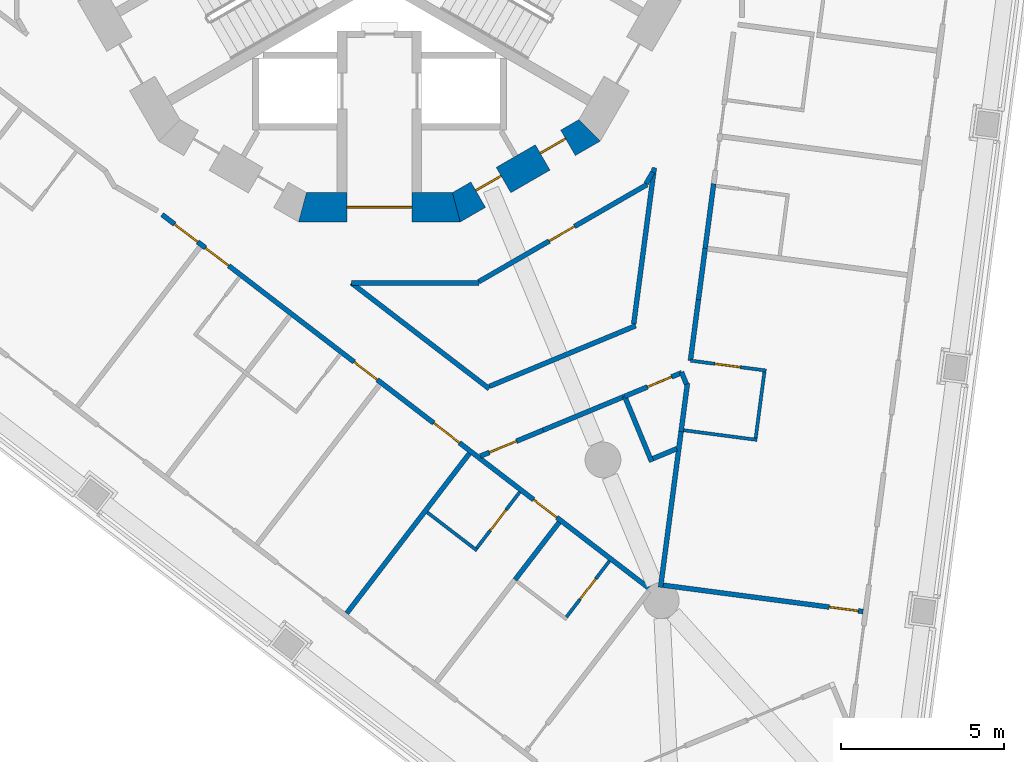
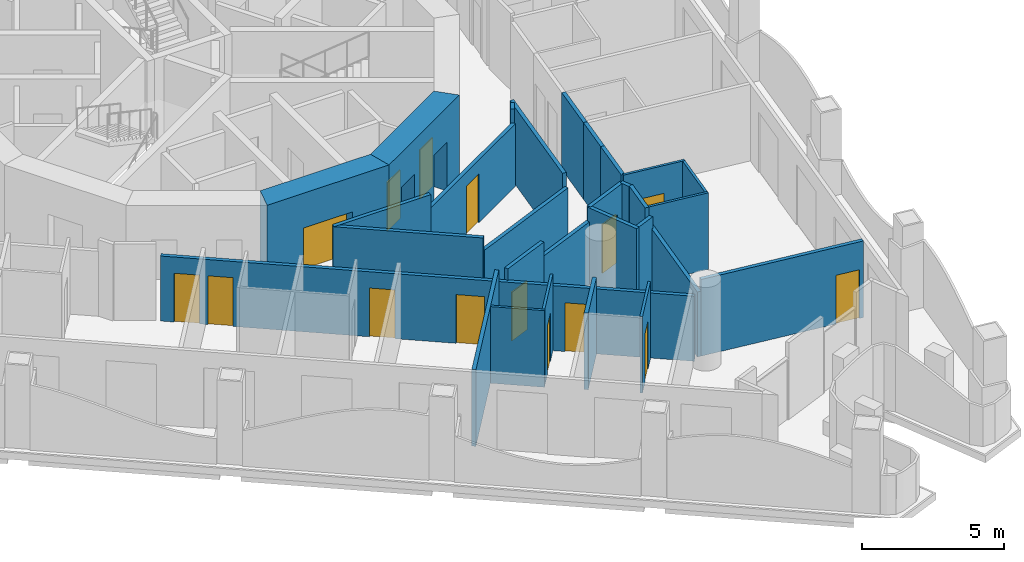
# One storey, part 4 of 17: 29 walls, 15 doors, 15 openings.
"""IFC4 building model written with IfcOpenShell, lengths in metres."""

import ifcopenshell
import ifcopenshell.guid

model = None  # the IFC model being written
_history = None  # IfcOwnerHistory: only IFC2X3 demands one
_inside = {}  # id of a spatial element -> (the spatial element, [elements in it])
_under = {}  # id of a project, library or spatial element -> (it, [spatial elements below it])
_declared = {}  # id of a project -> (the project, [libraries it declares])
_typed = {}  # id of a type object -> (the type object, [elements of that type])
_made_of = {}  # id of a material, layer set ... -> (it, [elements and type objects made of it])


def new_model(schema):
    """Start an empty IFC model of exactly this schema.

    Asked for "IFC4X3", IfcOpenShell would pick the latest addendum, in which some entities
    have other attributes; the version numbers below select the first issue.
    IFC2X3 requires an IfcOwnerHistory on every rooted entity: one is made here for all.
    """
    global model, _history
    if schema == "IFC4X3":
        model = ifcopenshell.file(schema_version=(4, 3, 0, 0))
    else:
        model = ifcopenshell.file(schema=schema)
    _inside.clear()
    _under.clear()
    _declared.clear()
    _typed.clear()
    _made_of.clear()
    _history = None
    if model.schema == "IFC2X3":
        org = make("IfcOrganization", Name="unknown")
        user = make(
            "IfcPersonAndOrganization",
            ThePerson=make("IfcPerson", FamilyName="unknown"),
            TheOrganization=org,
        )
        app = make(
            "IfcApplication",
            ApplicationDeveloper=org,
            Version="unknown",
            ApplicationFullName="unknown",
            ApplicationIdentifier="unknown",
        )
        _history = make(
            "IfcOwnerHistory",
            OwningUser=user,
            OwningApplication=app,
            ChangeAction="ADDED",
            CreationDate=0,
        )
    return model


def make(cls, **values):
    """One entity of the class cls with the attributes given. An attribute that is None is left unset."""
    return model.create_entity(
        cls, **{name: value for name, value in values.items() if value is not None}
    )


def rooted(cls, **values):
    """An entity with a GlobalId (a new one), such as an element, a storey or a relation."""
    return make(cls, GlobalId=ifcopenshell.guid.new(), OwnerHistory=_history, **values)


def si_unit(unit_type, name, prefix=None):
    """IfcSIUnit, for example si_unit("LENGTHUNIT", "METRE", prefix="MILLI")."""
    return make("IfcSIUnit", UnitType=unit_type, Prefix=prefix, Name=name)


def assignment(units):
    """IfcUnitAssignment: the units of a project."""
    return None if units is None else make("IfcUnitAssignment", Units=units)


def point(xyz):
    """IfcCartesianPoint."""
    return None if xyz is None else make("IfcCartesianPoint", Coordinates=xyz)


def direction(xyz):
    """IfcDirection."""
    return None if xyz is None else make("IfcDirection", DirectionRatios=xyz)


def frame(location, z_axis=None, x_axis=None):
    """IfcAxis2Placement3D, a coordinate frame: its origin and axes. An axis left out is left unset."""
    return make(
        "IfcAxis2Placement3D",
        Location=point(location),
        Axis=direction(z_axis),
        RefDirection=direction(x_axis),
    )


def frame_2d(location, x_axis=None):
    """IfcAxis2Placement2D, a coordinate frame in the plane: its origin and x axis."""
    return make(
        "IfcAxis2Placement2D", Location=point(location), RefDirection=direction(x_axis)
    )


def origin():
    """The frame at (0, 0, 0) with its axes left unset."""
    return frame((0.0, 0.0, 0.0))


def place(relative_to, where):
    """IfcLocalPlacement: puts the frame where relative to a parent placement (None: the world)."""
    return make(
        "IfcLocalPlacement", PlacementRelTo=relative_to, RelativePlacement=where
    )


def context(
    kind, dimensions, precision=None, world=None, true_north=None, identifier=None
):
    """IfcGeometricRepresentationContext, for example the 3D "Model" context."""
    return make(
        "IfcGeometricRepresentationContext",
        ContextIdentifier=identifier,
        ContextType=kind,
        CoordinateSpaceDimension=dimensions,
        Precision=precision,
        WorldCoordinateSystem=world,
        TrueNorth=true_north,
    )


def subcontext(parent, identifier, kind, view, scale=None):
    """IfcGeometricRepresentationSubContext, for example "Body" below "Model"."""
    return make(
        "IfcGeometricRepresentationSubContext",
        ContextIdentifier=identifier,
        ContextType=kind,
        ParentContext=parent,
        TargetScale=scale,
        TargetView=view,
    )


def project(units=None, contexts=None):
    """IfcProject with its units and contexts."""
    return rooted(
        "IfcProject",
        Name="project",
        RepresentationContexts=contexts,
        UnitsInContext=assignment(units),
    )


def spatial(cls, under=None, at=None, **own):
    """A site, building, storey or space (cls), placed at a placement, below another one or the project."""
    s = rooted(cls, ObjectPlacement=at, **own)
    if under is not None:
        _under.setdefault(under.id(), (under, []))[1].append(s)
    return s


def polyline(points):
    """IfcPolyline through the points."""
    return make("IfcPolyline", Points=[point(p) for p in points])


def profile(cls, at=None, kind="AREA", **sizes):
    """A parametric profile (cls). Its sizes go by their IFC names, for example OverallWidth=200.0."""
    return make(cls, ProfileType=kind, Position=at, **sizes)


def rectangle(**sizes):
    """IfcRectangleProfileDef."""
    return profile("IfcRectangleProfileDef", **sizes)


def outline(outer, holes=None, kind="AREA"):
    """IfcArbitraryClosedProfileDef: a profile drawn as a closed curve; with holes, ...WithVoids."""
    if holes is None:
        return make("IfcArbitraryClosedProfileDef", ProfileType=kind, OuterCurve=outer)
    return make(
        "IfcArbitraryProfileDefWithVoids",
        ProfileType=kind,
        OuterCurve=outer,
        InnerCurves=holes,
    )


def extrude(swept, where, along, depth):
    """IfcExtrudedAreaSolid: the profile swept, set in the frame where, extruded along a direction by depth."""
    return make(
        "IfcExtrudedAreaSolid",
        SweptArea=swept,
        Position=where,
        ExtrudedDirection=direction(along),
        Depth=depth,
    )


def shape(context_of_items, identifier, shape_type, items):
    """IfcShapeRepresentation: the items that make up one representation, for example the "Body"."""
    return make(
        "IfcShapeRepresentation",
        ContextOfItems=context_of_items,
        RepresentationIdentifier=identifier,
        RepresentationType=shape_type,
        Items=items,
    )


def material(Name=None, Category=None):
    """IfcMaterial."""
    return make("IfcMaterial", Name=Name, Category=Category)


def layer(
    of_material, thickness, ventilated=None, Name=None, Category=None, Priority=None
):
    """IfcMaterialLayer: one layer of a wall or slab, of a material (None: an air gap)."""
    return make(
        "IfcMaterialLayer",
        Material=of_material,
        LayerThickness=thickness,
        IsVentilated=ventilated,
        Name=Name,
        Category=Category,
        Priority=Priority,
    )


def layer_set(layers, Name=None):
    """IfcMaterialLayerSet."""
    return make("IfcMaterialLayerSet", MaterialLayers=layers, LayerSetName=Name)


def made_of(thing, what):
    """Note that an element or type object is made of a material, layer set ...; save() writes the relation."""
    if what is not None:
        _made_of.setdefault(what.id(), (what, []))[1].append(thing)
    return thing


def type_object(cls, material=None, **own):
    """A type object (cls), such as IfcWallType, which elements share."""
    return made_of(rooted(cls, **own), material)


def element(
    cls,
    number,
    at=None,
    inside=None,
    cuts=None,
    type_object=None,
    material=None,
    context=None,
    identifier="Body",
    shape_type=None,
    held_by="IfcProductDefinitionShape",
    body=None,
    shapes=None,
    **own,
):
    """One element of the class cls, such as IfcWall. Its Tag is "e" and its number.

    at: its placement. inside: the storey or other place that contains it. cuts: it is an
    opening in that element (IfcRelVoidsElement). A single representation is given by context,
    identifier, shape_type and body (its items); several are given by shapes. held_by: the class
    of the entity that holds the representations. save() writes the other relations.
    """
    e = rooted(cls, Tag="e%d" % number, ObjectPlacement=at, **own)
    if body is not None:
        shapes = [shape(context, identifier, shape_type, body)]
    if shapes is not None:
        e.Representation = make(held_by, Representations=shapes)
    if inside is not None:
        _inside.setdefault(inside.id(), (inside, []))[1].append(e)
    if cuts is not None:
        rooted(
            "IfcRelVoidsElement", RelatingBuildingElement=cuts, RelatedOpeningElement=e
        )
    if type_object is not None:
        _typed.setdefault(type_object.id(), (type_object, []))[1].append(e)
    return made_of(e, material)


def fill(opening, filler):
    """IfcRelFillsElement: the door or window that sits in an opening."""
    return rooted(
        "IfcRelFillsElement",
        RelatingOpeningElement=opening,
        RelatedBuildingElement=filler,
    )


def aggregate(whole, parts):
    """IfcRelAggregates: a whole, such as a stair, and the parts it consists of."""
    return rooted("IfcRelAggregates", RelatingObject=whole, RelatedObjects=parts)


def save(model, path):
    """Write the relations noted so far, then the file.

    IfcRelAggregates (storeys below a building ...), IfcRelContainedInSpatialStructure (elements
    in a storey), IfcRelDefinesByType, IfcRelAssociatesMaterial and IfcRelDeclares: one each for
    every whole, place, type object, material and project.
    """
    for whole, parts in _under.values():
        aggregate(whole, parts)
    for where, things in _inside.values():
        rooted(
            "IfcRelContainedInSpatialStructure",
            RelatedElements=things,
            RelatingStructure=where,
        )
    for kind, things in _typed.values():
        rooted("IfcRelDefinesByType", RelatedObjects=things, RelatingType=kind)
    for what, things in _made_of.values():
        rooted("IfcRelAssociatesMaterial", RelatedObjects=things, RelatingMaterial=what)
    for by, libraries in _declared.values():
        rooted("IfcRelDeclares", RelatingContext=by, RelatedDefinitions=libraries)
    model.write(path)


model = new_model("IFC4")

# Units and contexts
model_context = context("Model", 3, precision=1e-05, world=origin(), true_north=direction((0.0, 1.0)))
body_context = subcontext(model_context, "Body", "Model", "MODEL_VIEW")
ifc_project = project(units=[si_unit("LENGTHUNIT", "METRE"), si_unit("AREAUNIT", "SQUARE_METRE"), si_unit("VOLUMEUNIT", "CUBIC_METRE"), si_unit("PLANEANGLEUNIT", "RADIAN"), si_unit("MASSUNIT", "GRAM", prefix="KILO")], contexts=[model_context])

# Site, building, storey
site_placement = place(None, origin())
site = spatial("IfcSite", under=ifc_project, at=site_placement, CompositionType="ELEMENT")
building_placement = place(site_placement, origin())
building = spatial("IfcBuilding", under=site, at=building_placement, Name="Trine Commons Tower", CompositionType="ELEMENT")
storey_placement = place(building_placement, frame((0.0, 0.0, 131.39990234375)))
storey = spatial("IfcBuildingStorey", under=building, at=storey_placement, Name="L33", CompositionType="ELEMENT", Elevation=131.39990234375)

# Wall, opening, door
ifc_material_1 = material(Name="Concrete C70/85", Category="concrete")
ifc_layer_1 = layer(ifc_material_1, 0.89990234375)
ifc_layer_set_1 = layer_set([ifc_layer_1], Name="Concrete C70/85")
wall_type_1 = type_object("IfcWallType", Name="RC shear wall 900 mm, C70/85", PredefinedType="SHEAR", material=ifc_layer_set_1)
wall_1_placement = place(storey_placement, frame((77.515380859375, 53.677001953125, 0.0), z_axis=(0.0, 0.0, 1.0), x_axis=(1.0, 0.0, 0.0)))
wall_1 = element("IfcWall", 1, at=wall_1_placement, inside=storey, type_object=wall_type_1, Name="Core wall CWD-10 L33", PredefinedType="SHEAR", context=body_context, shape_type="SweptSolid", body=[
    extrude(outline(polyline([(0.0, -0.449951171875), (4.969482421875, -0.449951171875), (4.728271484375, 0.449951171875), (0.2412109375, 0.449951171875), (0.0, -0.449951171875)])), origin(), (0.0, 0.0, 1.0), 3.60009765625),
])
opening_1_placement = place(wall_1_placement, frame((1.484619140625, 0.0, 0.0)))
opening_1 = element("IfcOpeningElement", 2, at=opening_1_placement, cuts=wall_1, Name="Opening K12.08", PredefinedType="OPENING", context=body_context, shape_type="SweptSolid", body=[
    extrude(rectangle(XDim=2.0, YDim=2.10009765625, at=frame_2d((1.0, 1.050048828125))), frame((0.0, 0.4599609375, 0.0), z_axis=(0.0, -1.0, 0.0), x_axis=(1.0, 0.0, 0.0)), (0.0, 0.0, 1.0), 0.919921875),
])
ifc_material_2 = material(Name="Steel door leaves, fire-rated", Category="steel")
door_type_1 = type_object("IfcDoorType", Name="Lobby door, double leaf 2000 x 2100, FD60", OperationType="DOUBLE_DOOR_SINGLE_SWING", PredefinedType="DOOR", material=ifc_material_2)
door_1_placement = place(opening_1_placement, origin())
door_1 = element("IfcDoor", 3, at=door_1_placement, inside=storey, type_object=door_type_1, Name="Lobby door, Service and firefighting lobby L33", OperationType="DOUBLE_DOOR_SINGLE_SWING", OverallHeight=2.10009765625, OverallWidth=2.0, PredefinedType="DOOR", context=body_context, shape_type="SweptSolid", body=[
    extrude(rectangle(XDim=2.0, YDim=2.10009765625, at=frame_2d((1.0, 1.050048828125))), frame((0.0, 0.02490234375, 0.0), z_axis=(0.0, -1.0, 0.0), x_axis=(1.0, 0.0, 0.0)), (0.0, 0.0, 1.0), 0.050048828125),
])
fill(opening_1, door_1)

# Wall, openings, doors
wall_2_placement = place(storey_placement, frame((82.259765625, 53.61669921875, 0.0), z_axis=(0.0, 0.0, 1.0), x_axis=(0.866003133579, 0.500038571144, 0.0)))
wall_2 = element("IfcWall", 4, at=wall_2_placement, inside=storey, type_object=wall_type_1, Name="Core wall CWD-11 L33", PredefinedType="SHEAR", context=body_context, shape_type="SweptSolid", body=[
    extrude(outline(polyline([(0.0, -0.449951171875), (4.96923828125, -0.449951171875), (4.72802734375, 0.449951171875), (0.2412109375, 0.449951171875), (0.0, -0.449951171875)])), origin(), (0.0, 0.0, 1.0), 3.60009765625),
])
opening_2_placement = place(wall_2_placement, frame((0.89501953125, 0.0, 0.0)))
opening_2 = element("IfcOpeningElement", 5, at=opening_2_placement, cuts=wall_2, Name="Opening K12.20", PredefinedType="OPENING", context=body_context, shape_type="SweptSolid", body=[
    extrude(rectangle(XDim=0.89990234375, YDim=2.10009765625, at=frame_2d((0.449951171875, 1.050048828125))), frame((0.0, 0.4599609375, 0.0), z_axis=(0.0, -1.0, 0.0), x_axis=(1.0, 0.0, 0.0)), (0.0, 0.0, 1.0), 0.919921875),
])
opening_3_placement = place(wall_2_placement, frame((3.18408203125, 0.0, 0.0)))
opening_3 = element("IfcOpeningElement", 6, at=opening_3_placement, cuts=wall_2, Name="Opening K12.21", PredefinedType="OPENING", context=body_context, shape_type="SweptSolid", body=[
    extrude(rectangle(XDim=0.89990234375, YDim=2.10009765625, at=frame_2d((0.449951171875, 1.050048828125))), frame((0.0, 0.4599609375, 0.0), z_axis=(0.0, -1.0, 0.0), x_axis=(1.0, 0.0, 0.0)), (0.0, 0.0, 1.0), 0.919921875),
])
ifc_material_3 = material(Name="Steel door leaf, fire-rated", Category="steel")
door_type_2 = type_object("IfcDoorType", Name="Core room door, single leaf 900 x 2100, FD30S", OperationType="SINGLE_SWING_LEFT", PredefinedType="DOOR", material=ifc_material_3)
door_2_placement = place(opening_2_placement, origin())
door_2 = element("IfcDoor", 7, at=door_2_placement, inside=storey, type_object=door_type_2, Name="Door to Accessible WC L33", OperationType="SINGLE_SWING_LEFT", OverallHeight=2.10009765625, OverallWidth=0.89990234375, PredefinedType="DOOR", context=body_context, shape_type="SweptSolid", body=[
    extrude(rectangle(XDim=0.89990234375, YDim=2.10009765625, at=frame_2d((0.449951171875, 1.050048828125))), frame((0.0, 0.1748046875, 0.0), z_axis=(0.0, -1.0, 0.0), x_axis=(1.0, 0.0, 0.0)), (0.0, 0.0, 1.0), 0.050048828125),
])
fill(opening_2, door_2)
door_3_placement = place(opening_3_placement, origin())
door_3 = element("IfcDoor", 8, at=door_3_placement, inside=storey, type_object=door_type_2, Name="Door to Linen store L33", OperationType="SINGLE_SWING_RIGHT", OverallHeight=2.10009765625, OverallWidth=0.89990234375, PredefinedType="DOOR", context=body_context, shape_type="SweptSolid", body=[
    extrude(rectangle(XDim=0.89990234375, YDim=2.10009765625, at=frame_2d((0.449951171875, 1.050048828125))), frame((0.0, 0.1748046875, 0.0), z_axis=(0.0, -1.0, 0.0), x_axis=(1.0, 0.0, 0.0)), (0.0, 0.0, 1.0), 0.050048828125),
])
fill(opening_3, door_3)

ifc_material_4 = material(Name="Gypsum plasterboard on steel stud", Category="steel")
ifc_layer_2 = layer(ifc_material_4, 0.14990234375)
ifc_layer_set_2 = layer_set([ifc_layer_2], Name="Gypsum plasterboard on steel stud")
wall_type_2 = type_object("IfcWallType", Name="Unit and corridor wall 150 mm, EI 60", PredefinedType="PARTITIONING", material=ifc_layer_set_2)
wall_3_placement = place(storey_placement, frame((73.318115234375, 53.4541015625, 0.0), z_axis=(0.0, 0.0, 1.0), x_axis=(0.793337765411, -0.60878172605, 0.0)))
wall_3 = element("IfcWall", 9, at=wall_3_placement, inside=storey, type_object=wall_type_2, Name="Partition 049", PredefinedType="PARTITIONING", context=body_context, shape_type="SweptSolid", body=[
    extrude(rectangle(XDim=18.994873046875, YDim=0.14990234375, at=frame_2d((9.49755859375, 0.0))), origin(), (0.0, 0.0, 1.0), 2.800048828125),
])
opening_4_placement = place(wall_3_placement, frame((14.39306640625, 0.0, 0.0)))
opening_4 = element("IfcOpeningElement", 10, at=opening_4_placement, cuts=wall_3, Name="Opening D-4A24", PredefinedType="OPENING", context=body_context, shape_type="SweptSolid", body=[
    extrude(rectangle(XDim=0.89990234375, YDim=2.10009765625, at=frame_2d((0.449951171875, 1.050048828125))), frame((0.0, 0.0849609375, 0.0), z_axis=(0.0, -1.0, 0.0), x_axis=(1.0, 0.0, 0.0)), (0.0, 0.0, 1.0), 0.169921875),
])
opening_5_placement = place(wall_3_placement, frame((10.522705078125, 0.0, 0.0)))
opening_5 = element("IfcOpeningElement", 11, at=opening_5_placement, cuts=wall_3, Name="Opening D-4A25", PredefinedType="OPENING", context=body_context, shape_type="SweptSolid", body=[
    extrude(rectangle(XDim=1.0, YDim=2.10009765625, at=frame_2d((0.5, 1.050048828125))), frame((0.0, 0.0849609375, 0.0), z_axis=(0.0, -1.0, 0.0), x_axis=(1.0, 0.0, 0.0)), (0.0, 0.0, 1.0), 0.169921875),
])
opening_6_placement = place(wall_3_placement, frame((7.43798828125, 0.0, 0.0)))
opening_6 = element("IfcOpeningElement", 12, at=opening_6_placement, cuts=wall_3, Name="Opening D-4A26", PredefinedType="OPENING", context=body_context, shape_type="SweptSolid", body=[
    extrude(rectangle(XDim=0.89990234375, YDim=2.10009765625, at=frame_2d((0.449951171875, 1.050048828125))), frame((0.0, 0.0849609375, 0.0), z_axis=(0.0, -1.0, 0.0), x_axis=(1.0, 0.0, 0.0)), (0.0, 0.0, 1.0), 0.169921875),
])
opening_7_placement = place(wall_3_placement, frame((1.6826171875, 0.0, 0.0)))
opening_7 = element("IfcOpeningElement", 13, at=opening_7_placement, cuts=wall_3, Name="Opening D-4A27", PredefinedType="OPENING", context=body_context, shape_type="SweptSolid", body=[
    extrude(rectangle(XDim=0.89990234375, YDim=2.10009765625, at=frame_2d((0.449951171875, 1.050048828125))), frame((0.0, 0.0849609375, 0.0), z_axis=(0.0, -1.0, 0.0), x_axis=(1.0, 0.0, 0.0)), (0.0, 0.0, 1.0), 0.169921875),
])
opening_8_placement = place(wall_3_placement, frame((0.482666015625, 0.0, 0.0)))
opening_8 = element("IfcOpeningElement", 14, at=opening_8_placement, cuts=wall_3, Name="Opening D-4A28", PredefinedType="OPENING", context=body_context, shape_type="SweptSolid", body=[
    extrude(rectangle(XDim=0.89990234375, YDim=2.10009765625, at=frame_2d((0.449951171875, 1.050048828125))), frame((0.0, 0.0849609375, 0.0), z_axis=(0.0, -1.0, 0.0), x_axis=(1.0, 0.0, 0.0)), (0.0, 0.0, 1.0), 0.169921875),
])
ifc_material_5 = material(Name="Painted timber", Category="wood")
door_type_3 = type_object("IfcDoorType", Name="Amenity room door 1000 x 2100, NOT RATED", OperationType="NOTDEFINED", PredefinedType="DOOR", material=ifc_material_5)
door_4_placement = place(opening_5_placement, frame((1.0, 0.0, 0.0), z_axis=(0.0, 0.0, 1.0), x_axis=(-1.0, 0.0, 0.0)))
door_4 = element("IfcDoor", 15, at=door_4_placement, inside=storey, type_object=door_type_3, Name="Door D-4A25", OperationType="SINGLE_SWING_LEFT", OverallHeight=2.10009765625, OverallWidth=1.0, PredefinedType="DOOR", context=body_context, shape_type="SweptSolid", body=[
    extrude(rectangle(XDim=1.0, YDim=2.10009765625, at=frame_2d((0.5, 1.050048828125))), frame((0.0, 0.02490234375, 0.0), z_axis=(0.0, -1.0, 0.0), x_axis=(1.0, 0.0, 0.0)), (0.0, 0.0, 1.0), 0.050048828125),
])
fill(opening_5, door_4)
ifc_material_6 = material(Name="Timber fire door set", Category="wood")
door_type_4 = type_object("IfcDoorType", Name="Bedroom door 900 x 2100, FD30S", OperationType="NOTDEFINED", PredefinedType="DOOR", material=ifc_material_6)
door_5_placement = place(opening_4_placement, frame((0.89990234375, 0.0, 0.0), z_axis=(0.0, 0.0, 1.0), x_axis=(-1.0, 0.0, 0.0)))
door_5 = element("IfcDoor", 16, at=door_5_placement, inside=storey, type_object=door_type_4, Name="Door D-4A24", OperationType="SINGLE_SWING_LEFT", OverallHeight=2.10009765625, OverallWidth=0.89990234375, PredefinedType="DOOR", context=body_context, shape_type="SweptSolid", body=[
    extrude(rectangle(XDim=0.89990234375, YDim=2.10009765625, at=frame_2d((0.449951171875, 1.050048828125))), frame((0.0, 0.02490234375, 0.0), z_axis=(0.0, -1.0, 0.0), x_axis=(1.0, 0.0, 0.0)), (0.0, 0.0, 1.0), 0.050048828125),
])
fill(opening_4, door_5)
door_6_placement = place(opening_6_placement, frame((0.89990234375, 0.0, 0.0), z_axis=(0.0, 0.0, 1.0), x_axis=(-1.0, 0.0, 0.0)))
door_6 = element("IfcDoor", 17, at=door_6_placement, inside=storey, type_object=door_type_4, Name="Door D-4A26", OperationType="SINGLE_SWING_RIGHT", OverallHeight=2.10009765625, OverallWidth=0.89990234375, PredefinedType="DOOR", context=body_context, shape_type="SweptSolid", body=[
    extrude(rectangle(XDim=0.89990234375, YDim=2.10009765625, at=frame_2d((0.449951171875, 1.050048828125))), frame((0.0, 0.02490234375, 0.0), z_axis=(0.0, -1.0, 0.0), x_axis=(1.0, 0.0, 0.0)), (0.0, 0.0, 1.0), 0.050048828125),
])
fill(opening_6, door_6)
door_7_placement = place(opening_7_placement, frame((0.89990234375, 0.0, 0.0), z_axis=(0.0, 0.0, 1.0), x_axis=(-1.0, 0.0, 0.0)))
door_7 = element("IfcDoor", 18, at=door_7_placement, inside=storey, type_object=door_type_4, Name="Door D-4A27", OperationType="SINGLE_SWING_RIGHT", OverallHeight=2.10009765625, OverallWidth=0.89990234375, PredefinedType="DOOR", context=body_context, shape_type="SweptSolid", body=[
    extrude(rectangle(XDim=0.89990234375, YDim=2.10009765625, at=frame_2d((0.449951171875, 1.050048828125))), frame((0.0, 0.02490234375, 0.0), z_axis=(0.0, -1.0, 0.0), x_axis=(1.0, 0.0, 0.0)), (0.0, 0.0, 1.0), 0.050048828125),
])
fill(opening_7, door_7)
door_8_placement = place(opening_8_placement, frame((0.89990234375, 0.0, 0.0), z_axis=(0.0, 0.0, 1.0), x_axis=(-1.0, 0.0, 0.0)))
door_8 = element("IfcDoor", 19, at=door_8_placement, inside=storey, type_object=door_type_4, Name="Door D-4A28", OperationType="SINGLE_SWING_RIGHT", OverallHeight=2.10009765625, OverallWidth=0.89990234375, PredefinedType="DOOR", context=body_context, shape_type="SweptSolid", body=[
    extrude(rectangle(XDim=0.89990234375, YDim=2.10009765625, at=frame_2d((0.449951171875, 1.050048828125))), frame((0.0, 0.02490234375, 0.0), z_axis=(0.0, -1.0, 0.0), x_axis=(1.0, 0.0, 0.0)), (0.0, 0.0, 1.0), 0.050048828125),
])
fill(opening_8, door_8)

# Walls
wall_4_placement = place(storey_placement, frame((78.994384765625, 41.19677734375, 0.0), z_axis=(0.0, 0.0, 1.0), x_axis=(0.608811285709, 0.79331508141, 0.0)))
element("IfcWall", 20, at=wall_4_placement, inside=storey, type_object=wall_type_2, Name="Partition 061", PredefinedType="PARTITIONING", context=body_context, shape_type="SweptSolid", body=[
    extrude(rectangle(XDim=6.194091796875, YDim=0.14990234375, at=frame_2d((3.09716796875, 0.0))), origin(), (0.0, 0.0, 1.0), 3.300048828125),
])
wall_5_placement = place(storey_placement, frame((79.134033203125, 51.35205078125, 0.0), z_axis=(0.0, 0.0, 1.0), x_axis=(1.0, 0.0, 0.0)))
element("IfcWall", 21, at=wall_5_placement, inside=storey, type_object=wall_type_2, Name="Partition 062", PredefinedType="PARTITIONING", context=body_context, shape_type="SweptSolid", body=[
    extrude(rectangle(XDim=3.927978515625, YDim=0.14990234375, at=frame_2d((1.9638671875, 0.0))), origin(), (0.0, 0.0, 1.0), 3.300048828125),
])
wall_6_placement = place(storey_placement, frame((79.137939453125, 51.35205078125, 0.0), z_axis=(0.0, 0.0, 1.0), x_axis=(0.793274409151, -0.608864280268, 0.0)))
element("IfcWall", 22, at=wall_6_placement, inside=storey, type_object=wall_type_2, Name="Partition 063", PredefinedType="PARTITIONING", context=body_context, shape_type="SweptSolid", body=[
    extrude(rectangle(XDim=5.340576171875, YDim=0.14990234375, at=frame_2d((2.67041015625, 0.0))), origin(), (0.0, 0.0, 1.0), 3.300048828125),
])

# Wall, opening, door
wall_7_placement = place(storey_placement, frame((83.052001953125, 51.389404296875, 0.0), z_axis=(0.0, 0.0, 1.0), x_axis=(0.866039280689, 0.499975963725, 0.0)))
wall_7 = element("IfcWall", 23, at=wall_7_placement, inside=storey, type_object=wall_type_2, Name="Partition 070", PredefinedType="PARTITIONING", context=body_context, shape_type="SweptSolid", body=[
    extrude(rectangle(XDim=5.974365234375, YDim=0.14990234375, at=frame_2d((2.9873046875, 0.0))), origin(), (0.0, 0.0, 1.0), 2.7001953125),
])
opening_9_placement = place(wall_7_placement, frame((2.499755859375, 0.0, 0.0)))
opening_9 = element("IfcOpeningElement", 24, at=opening_9_placement, cuts=wall_7, Name="Opening D-4A32", PredefinedType="OPENING", context=body_context, shape_type="SweptSolid", body=[
    extrude(rectangle(XDim=0.89990234375, YDim=2.10009765625, at=frame_2d((0.449951171875, 1.050048828125))), frame((0.0, 0.0849609375, 0.0), z_axis=(0.0, -1.0, 0.0), x_axis=(1.0, 0.0, 0.0)), (0.0, 0.0, 1.0), 0.169921875),
])
door_type_5 = type_object("IfcDoorType", Name="Service door 900 x 2100, FD30S", OperationType="NOTDEFINED", PredefinedType="DOOR", material=ifc_material_6)
door_9_placement = place(opening_9_placement, frame((0.89990234375, 0.0, 0.0), z_axis=(0.0, 0.0, 1.0), x_axis=(-1.0, 0.0, 0.0)))
door_9 = element("IfcDoor", 25, at=door_9_placement, inside=storey, type_object=door_type_5, Name="Door D-4A32", OperationType="SINGLE_SWING_RIGHT", OverallHeight=2.10009765625, OverallWidth=0.89990234375, PredefinedType="DOOR", context=body_context, shape_type="SweptSolid", body=[
    extrude(rectangle(XDim=0.89990234375, YDim=2.10009765625, at=frame_2d((0.449951171875, 1.050048828125))), frame((0.0, 0.02490234375, 0.0), z_axis=(0.0, -1.0, 0.0), x_axis=(1.0, 0.0, 0.0)), (0.0, 0.0, 1.0), 0.050048828125),
])
fill(opening_9, door_9)

wall_8_placement = place(storey_placement, frame((83.102294921875, 46.02880859375, 0.0), z_axis=(0.0, 0.0, 1.0), x_axis=(0.923986937012, 0.382424031973, 0.0)))
wall_8 = element("IfcWall", 26, at=wall_8_placement, inside=storey, type_object=wall_type_2, Name="Partition 072", PredefinedType="PARTITIONING", context=body_context, shape_type="SweptSolid", body=[
    extrude(rectangle(XDim=2.089599609375, YDim=0.14990234375, at=frame_2d((1.044921875, 0.0))), origin(), (0.0, 0.0, 1.0), 3.300048828125),
])
opening_10_placement = place(wall_8_placement, frame((0.2978515625, 0.0, 0.0)))
opening_10 = element("IfcOpeningElement", 27, at=opening_10_placement, cuts=wall_8, Name="Opening D-4A02", PredefinedType="OPENING", context=body_context, shape_type="SweptSolid", body=[
    extrude(rectangle(XDim=0.89990234375, YDim=2.10009765625, at=frame_2d((0.449951171875, 1.050048828125))), frame((0.0, 0.0849609375, 0.0), z_axis=(0.0, -1.0, 0.0), x_axis=(1.0, 0.0, 0.0)), (0.0, 0.0, 1.0), 0.169921875),
])
door_type_6 = type_object("IfcDoorType", Name="Cluster entrance door 900 x 2100, FD30S", OperationType="NOTDEFINED", PredefinedType="DOOR", material=ifc_material_6)
door_10_placement = place(opening_10_placement, frame((0.89990234375, 0.0, 0.0), z_axis=(0.0, 0.0, 1.0), x_axis=(-1.0, 0.0, 0.0)))
door_10 = element("IfcDoor", 28, at=door_10_placement, inside=storey, type_object=door_type_6, Name="Door D-4A02", OperationType="SINGLE_SWING_RIGHT", OverallHeight=2.10009765625, OverallWidth=0.89990234375, PredefinedType="DOOR", context=body_context, shape_type="SweptSolid", body=[
    extrude(rectangle(XDim=0.89990234375, YDim=2.10009765625, at=frame_2d((0.449951171875, 1.050048828125))), frame((0.0, 0.02490234375, 0.0), z_axis=(0.0, -1.0, 0.0), x_axis=(1.0, 0.0, 0.0)), (0.0, 0.0, 1.0), 0.050048828125),
])
fill(opening_10, door_10)

# Walls
wall_9_placement = place(storey_placement, frame((83.38427734375, 48.1748046875, 0.0), z_axis=(0.0, 0.0, 1.0), x_axis=(0.923876009177, 0.382691938335, 0.0)))
element("IfcWall", 29, at=wall_9_placement, inside=storey, type_object=wall_type_2, Name="Partition 073", PredefinedType="PARTITIONING", context=body_context, shape_type="SweptSolid", body=[
    extrude(rectangle(XDim=4.85986328125, YDim=0.14990234375, at=frame_2d((2.429931640625, 0.0))), origin(), (0.0, 0.0, 1.0), 2.7001953125),
])
wall_10_placement = place(storey_placement, frame((84.1689453125, 42.22900390625, 0.0), z_axis=(0.0, 0.0, 1.0), x_axis=(0.609212171412, 0.793007269956, 0.0)))
element("IfcWall", 30, at=wall_10_placement, inside=storey, type_object=wall_type_2, Name="Partition 074", PredefinedType="PARTITIONING", context=body_context, shape_type="SweptSolid", body=[
    extrude(rectangle(XDim=2.224853515625, YDim=0.14990234375, at=frame_2d((1.1123046875, 0.0))), origin(), (0.0, 0.0, 1.0), 3.300048828125),
])
wall_11_placement = place(storey_placement, frame((85.032958984375, 46.827880859375, 0.0), z_axis=(0.0, 0.0, 1.0), x_axis=(0.923769467477, 0.382949044857, 0.0)))
element("IfcWall", 31, at=wall_11_placement, inside=storey, type_object=wall_type_2, Name="Partition 078", PredefinedType="PARTITIONING", context=body_context, shape_type="SweptSolid", body=[
    extrude(rectangle(XDim=2.695556640625, YDim=0.14990234375, at=frame_2d((1.34765625, 0.0))), origin(), (0.0, 0.0, 1.0), 2.7001953125),
])

# Wall, opening, door
wall_12_placement = place(storey_placement, frame((87.532958984375, 47.864013671875, 0.0), z_axis=(0.0, 0.0, 1.0), x_axis=(0.923851437131, 0.382751253571, 0.0)))
wall_12 = element("IfcWall", 32, at=wall_12_placement, inside=storey, type_object=wall_type_2, Name="Partition 084", PredefinedType="PARTITIONING", context=body_context, shape_type="SweptSolid", body=[
    extrude(rectangle(XDim=1.9072265625, YDim=0.14990234375, at=frame_2d((0.95361328125, 0.0))), origin(), (0.0, 0.0, 1.0), 3.300048828125),
])
opening_11_placement = place(wall_12_placement, frame((0.764892578125, 0.0, 0.0)))
opening_11 = element("IfcOpeningElement", 33, at=opening_11_placement, cuts=wall_12, Name="Opening D-4A04", PredefinedType="OPENING", context=body_context, shape_type="SweptSolid", body=[
    extrude(rectangle(XDim=0.800048828125, YDim=2.10009765625, at=frame_2d((0.39990234375, 1.050048828125))), frame((0.0, 0.0849609375, 0.0), z_axis=(0.0, -1.0, 0.0), x_axis=(1.0, 0.0, 0.0)), (0.0, 0.0, 1.0), 0.169921875),
])
door_type_7 = type_object("IfcDoorType", Name="Toilet door 800 x 2100, NOT RATED", OperationType="NOTDEFINED", PredefinedType="DOOR", material=ifc_material_5)
door_11_placement = place(opening_11_placement, frame((0.800048828125, 0.0, 0.0), z_axis=(0.0, 0.0, 1.0), x_axis=(-1.0, 0.0, 0.0)))
door_11 = element("IfcDoor", 34, at=door_11_placement, inside=storey, type_object=door_type_7, Name="Door D-4A04", OperationType="SINGLE_SWING_LEFT", OverallHeight=2.10009765625, OverallWidth=0.800048828125, PredefinedType="DOOR", context=body_context, shape_type="SweptSolid", body=[
    extrude(rectangle(XDim=0.800048828125, YDim=2.10009765625, at=frame_2d((0.39990234375, 1.050048828125))), frame((0.0, 0.02490234375, 0.0), z_axis=(0.0, -1.0, 0.0), x_axis=(1.0, 0.0, 0.0)), (0.0, 0.0, 1.0), 0.050048828125),
])
fill(opening_11, door_11)

# Walls
wall_13_placement = place(storey_placement, frame((87.537109375, 47.864990234375, 0.0), z_axis=(0.0, 0.0, 1.0), x_axis=(0.382398068784, -0.923997682351, 0.0)))
element("IfcWall", 35, at=wall_13_placement, inside=storey, type_object=wall_type_2, Name="Partition 085", PredefinedType="PARTITIONING", context=body_context, shape_type="SweptSolid", body=[
    extrude(rectangle(XDim=2.174560546875, YDim=0.14990234375, at=frame_2d((1.08740234375, 0.0))), origin(), (0.0, 0.0, 1.0), 3.300048828125),
])
wall_14_placement = place(storey_placement, frame((87.814697265625, 50.080322265625, 0.0), z_axis=(0.0, 0.0, 1.0), x_axis=(0.130546835993, 0.991442143351, 0.0)))
element("IfcWall", 36, at=wall_14_placement, inside=storey, type_object=wall_type_2, Name="Partition 087", PredefinedType="PARTITIONING", context=body_context, shape_type="SweptSolid", body=[
    extrude(rectangle(XDim=4.856689453125, YDim=0.14990234375, at=frame_2d((2.42822265625, 0.0))), origin(), (0.0, 0.0, 1.0), 3.300048828125),
])
wall_15_placement = place(storey_placement, frame((88.198486328125, 54.404052734375, 0.0), z_axis=(0.0, 0.0, 1.0), x_axis=(0.499481060725, 0.866324806281, 0.0)))
element("IfcWall", 37, at=wall_15_placement, inside=storey, type_object=wall_type_2, Name="Partition 091", PredefinedType="PARTITIONING", context=body_context, shape_type="SweptSolid", body=[
    extrude(rectangle(XDim=0.40869140625, YDim=0.14990234375, at=frame_2d((0.204345703125, 0.0))), origin(), (0.0, 0.0, 1.0), 3.300048828125),
])
wall_16_placement = place(storey_placement, frame((88.4091796875, 45.95361328125, 0.0), z_axis=(0.0, 0.0, 1.0), x_axis=(0.92369931044, 0.383118237484, 0.0)))
element("IfcWall", 38, at=wall_16_placement, inside=storey, type_object=wall_type_2, Name="Partition 093", PredefinedType="PARTITIONING", context=body_context, shape_type="SweptSolid", body=[
    extrude(rectangle(XDim=0.78759765625, YDim=0.14990234375, at=frame_2d((0.393798828125, 0.0))), origin(), (0.0, 0.0, 1.0), 3.300048828125),
])
wall_17_placement = place(storey_placement, frame((88.64111328125, 41.99560546875, 0.0), z_axis=(0.0, 0.0, 1.0), x_axis=(0.130614848927, 0.991433185464, 0.0)))
element("IfcWall", 39, at=wall_17_placement, inside=storey, type_object=wall_type_2, Name="Partition 094", PredefinedType="PARTITIONING", context=body_context, shape_type="SweptSolid", body=[
    extrude(rectangle(XDim=4.884033203125, YDim=0.14990234375, at=frame_2d((2.44189453125, 0.0))), origin(), (0.0, 0.0, 1.0), 2.800048828125),
])

# Wall, opening, door
wall_18_placement = place(storey_placement, frame((88.725341796875, 42.060302734375, 0.0), z_axis=(0.0, 0.0, 1.0), x_axis=(0.991454966236, -0.130449415202, 0.0)))
wall_18 = element("IfcWall", 40, at=wall_18_placement, inside=storey, type_object=wall_type_2, Name="Partition 095", PredefinedType="PARTITIONING", context=body_context, shape_type="SweptSolid", body=[
    extrude(rectangle(XDim=6.19482421875, YDim=0.14990234375, at=frame_2d((3.097412109375, 0.0))), origin(), (0.0, 0.0, 1.0), 3.300048828125),
])
opening_12_placement = place(wall_18_placement, frame((5.14501953125, 0.0, 0.0)))
opening_12 = element("IfcOpeningElement", 41, at=opening_12_placement, cuts=wall_18, Name="Opening D-4A22", PredefinedType="OPENING", context=body_context, shape_type="SweptSolid", body=[
    extrude(rectangle(XDim=0.89990234375, YDim=2.10009765625, at=frame_2d((0.449951171875, 1.050048828125))), frame((0.0, 0.0849609375, 0.0), z_axis=(0.0, -1.0, 0.0), x_axis=(1.0, 0.0, 0.0)), (0.0, 0.0, 1.0), 0.169921875),
])
door_12_placement = place(opening_12_placement, origin())
door_12 = element("IfcDoor", 42, at=door_12_placement, inside=storey, type_object=door_type_4, Name="Door D-4A22", OperationType="SINGLE_SWING_RIGHT", OverallHeight=2.10009765625, OverallWidth=0.89990234375, PredefinedType="DOOR", context=body_context, shape_type="SweptSolid", body=[
    extrude(rectangle(XDim=0.89990234375, YDim=2.10009765625, at=frame_2d((0.449951171875, 1.050048828125))), frame((0.0, 0.02490234375, 0.0), z_axis=(0.0, -1.0, 0.0), x_axis=(1.0, 0.0, 0.0)), (0.0, 0.0, 1.0), 0.050048828125),
])
fill(opening_12, door_12)

# Walls
wall_19_placement = place(storey_placement, frame((89.271484375, 46.780517578125, 0.0), z_axis=(0.0, 0.0, 1.0), x_axis=(0.130968577384, 0.991386519849, 0.0)))
element("IfcWall", 43, at=wall_19_placement, inside=storey, type_object=wall_type_2, Name="Partition 097", PredefinedType="PARTITIONING", context=body_context, shape_type="SweptSolid", body=[
    extrude(rectangle(XDim=1.498779296875, YDim=0.14990234375, at=frame_2d((0.74951171875, 0.0))), origin(), (0.0, 0.0, 1.0), 3.300048828125),
])
wall_20_placement = place(storey_placement, frame((89.283935546875, 48.611328125, 0.0), z_axis=(0.0, 0.0, 1.0), x_axis=(0.383358021714, -0.923599819829, 0.0)))
element("IfcWall", 44, at=wall_20_placement, inside=storey, type_object=wall_type_2, Name="Partition 099", PredefinedType="PARTITIONING", context=body_context, shape_type="SweptSolid", body=[
    extrude(rectangle(XDim=0.39990234375, YDim=0.14990234375, at=frame_2d((0.199951171875, 0.0))), origin(), (0.0, 0.0, 1.0), 3.300048828125),
])
wall_21_placement = place(storey_placement, frame((89.55908203125, 48.9609375, 0.0), z_axis=(0.0, 0.0, 1.0), x_axis=(0.130073589494, 0.99150434256, 0.0)))
element("IfcWall", 45, at=wall_21_placement, inside=storey, type_object=wall_type_2, Name="Partition 100", PredefinedType="PARTITIONING", context=body_context, shape_type="SweptSolid", body=[
    extrude(rectangle(XDim=1.89013671875, YDim=0.14990234375, at=frame_2d((0.945068359375, 0.0))), origin(), (0.0, 0.0, 1.0), 3.300048828125),
])
wall_22_placement = place(storey_placement, frame((89.804931640625, 50.8349609375, 0.0), z_axis=(0.0, 0.0, 1.0), x_axis=(0.13035952234, 0.991466789628, 0.0)))
element("IfcWall", 46, at=wall_22_placement, inside=storey, type_object=wall_type_2, Name="Partition 103", PredefinedType="PARTITIONING", context=body_context, shape_type="SweptSolid", body=[
    extrude(rectangle(XDim=1.595703125, YDim=0.14990234375, at=frame_2d((0.7978515625, 0.0))), origin(), (0.0, 0.0, 1.0), 3.300048828125),
])
wall_23_placement = place(storey_placement, frame((90.002197265625, 52.334716796875, 0.0), z_axis=(0.0, 0.0, 1.0), x_axis=(0.130697081864, 0.991422348342, 0.0)))
element("IfcWall", 47, at=wall_23_placement, inside=storey, type_object=wall_type_2, Name="Partition 104", PredefinedType="PARTITIONING", context=body_context, shape_type="SweptSolid", body=[
    extrude(rectangle(XDim=2.082763671875, YDim=0.14990234375, at=frame_2d((1.04150390625, 0.0))), origin(), (0.0, 0.0, 1.0), 3.300048828125),
])
ifc_layer_3 = layer(ifc_material_4, 0.10009765625)
ifc_layer_set_3 = layer_set([ifc_layer_3], Name="Gypsum plasterboard on steel stud")
wall_type_3 = type_object("IfcWallType", Name="Unit partition 100 mm, no rating", PredefinedType="PARTITIONING", material=ifc_layer_set_3)
wall_24_placement = place(storey_placement, frame((81.470458984375, 44.30029296875, 0.0), z_axis=(0.0, 0.0, 1.0), x_axis=(0.793132716202, -0.609048844092, 0.0)))
element("IfcWall", 48, at=wall_24_placement, inside=storey, type_object=wall_type_3, Name="Partition 065", PredefinedType="PARTITIONING", context=body_context, shape_type="SweptSolid", body=[
    extrude(rectangle(XDim=1.92578125, YDim=0.10009765625, at=frame_2d((0.962890625, 0.0))), origin(), (0.0, 0.0, 1.0), 3.300048828125),
])

# Wall, opening, door
wall_25_placement = place(storey_placement, frame((82.98828125, 43.19775390625, 0.0), z_axis=(0.0, 0.0, 1.0), x_axis=(0.608744865415, 0.793366049709, 0.0)))
wall_25 = element("IfcWall", 49, at=wall_25_placement, inside=storey, type_object=wall_type_3, Name="Partition 069", PredefinedType="PARTITIONING", context=body_context, shape_type="SweptSolid", body=[
    extrude(rectangle(XDim=2.17529296875, YDim=0.10009765625, at=frame_2d((1.087646484375, 0.0))), origin(), (0.0, 0.0, 1.0), 3.300048828125),
])
opening_13_placement = place(wall_25_placement, frame((0.6875, 0.0, 0.0)))
opening_13 = element("IfcOpeningElement", 50, at=opening_13_placement, cuts=wall_25, Name="Opening D-4A52", PredefinedType="OPENING", context=body_context, shape_type="SweptSolid", body=[
    extrude(rectangle(XDim=0.800048828125, YDim=2.10009765625, at=frame_2d((0.39990234375, 1.050048828125))), frame((0.0, 0.06005859375, 0.0), z_axis=(0.0, -1.0, 0.0), x_axis=(1.0, 0.0, 0.0)), (0.0, 0.0, 1.0), 0.1201171875),
])
door_type_8 = type_object("IfcDoorType", Name="Internal door 800 x 2100, NOT RATED", OperationType="NOTDEFINED", PredefinedType="DOOR", material=ifc_material_5)
door_13_placement = place(opening_13_placement, frame((0.800048828125, 0.0, 0.0), z_axis=(0.0, 0.0, 1.0), x_axis=(-1.0, 0.0, 0.0)))
door_13 = element("IfcDoor", 51, at=door_13_placement, inside=storey, type_object=door_type_8, Name="Door D-4A52", OperationType="SINGLE_SWING_LEFT", OverallHeight=2.10009765625, OverallWidth=0.800048828125, PredefinedType="DOOR", context=body_context, shape_type="SweptSolid", body=[
    extrude(rectangle(XDim=0.800048828125, YDim=2.10009765625, at=frame_2d((0.39990234375, 1.050048828125))), frame((0.0, 0.02490234375, 0.0), z_axis=(0.0, -1.0, 0.0), x_axis=(1.0, 0.0, 0.0)), (0.0, 0.0, 1.0), 0.050048828125),
])
fill(opening_13, door_13)

wall_26_placement = place(storey_placement, frame((85.74658203125, 41.081787109375, 0.0), z_axis=(0.0, 0.0, 1.0), x_axis=(0.60915721009, 0.793049489878, 0.0)))
wall_26 = element("IfcWall", 52, at=wall_26_placement, inside=storey, type_object=wall_type_3, Name="Partition 079", PredefinedType="PARTITIONING", context=body_context, shape_type="SweptSolid", body=[
    extrude(rectangle(XDim=2.174560546875, YDim=0.10009765625, at=frame_2d((1.08740234375, 0.0))), origin(), (0.0, 0.0, 1.0), 3.300048828125),
])
opening_14_placement = place(wall_26_placement, frame((0.6875, 0.0, 0.0)))
opening_14 = element("IfcOpeningElement", 53, at=opening_14_placement, cuts=wall_26, Name="Opening D-4A51", PredefinedType="OPENING", context=body_context, shape_type="SweptSolid", body=[
    extrude(rectangle(XDim=0.800048828125, YDim=2.10009765625, at=frame_2d((0.39990234375, 1.050048828125))), frame((0.0, 0.06005859375, 0.0), z_axis=(0.0, -1.0, 0.0), x_axis=(1.0, 0.0, 0.0)), (0.0, 0.0, 1.0), 0.1201171875),
])
door_14_placement = place(opening_14_placement, frame((0.800048828125, 0.0, 0.0), z_axis=(0.0, 0.0, 1.0), x_axis=(-1.0, 0.0, 0.0)))
door_14 = element("IfcDoor", 54, at=door_14_placement, inside=storey, type_object=door_type_8, Name="Door D-4A51", OperationType="SINGLE_SWING_LEFT", OverallHeight=2.10009765625, OverallWidth=0.800048828125, PredefinedType="DOOR", context=body_context, shape_type="SweptSolid", body=[
    extrude(rectangle(XDim=0.800048828125, YDim=2.10009765625, at=frame_2d((0.39990234375, 1.050048828125))), frame((0.0, 0.02490234375, 0.0), z_axis=(0.0, -1.0, 0.0), x_axis=(1.0, 0.0, 0.0)), (0.0, 0.0, 1.0), 0.050048828125),
])
fill(opening_14, door_14)

# Wall
wall_27_placement = place(storey_placement, frame((89.353515625, 46.82421875, 0.0), z_axis=(0.0, 0.0, 1.0), x_axis=(0.991459774706, -0.130412864162, 0.0)))
element("IfcWall", 55, at=wall_27_placement, inside=storey, type_object=wall_type_3, Name="Partition 098", PredefinedType="PARTITIONING", context=body_context, shape_type="SweptSolid", body=[
    extrude(rectangle(XDim=2.274658203125, YDim=0.10009765625, at=frame_2d((1.13720703125, 0.0))), origin(), (0.0, 0.0, 1.0), 3.300048828125),
])

# Wall, opening, door
wall_28_placement = place(storey_placement, frame((89.55908203125, 48.965087890625, 0.0), z_axis=(0.0, 0.0, 1.0), x_axis=(0.991455002545, -0.130449139241, 0.0)))
wall_28 = element("IfcWall", 56, at=wall_28_placement, inside=storey, type_object=wall_type_3, Name="Partition 101", PredefinedType="PARTITIONING", context=body_context, shape_type="SweptSolid", body=[
    extrude(rectangle(XDim=2.3505859375, YDim=0.10009765625, at=frame_2d((1.17529296875, 0.0))), origin(), (0.0, 0.0, 1.0), 3.300048828125),
])
opening_15_placement = place(wall_28_placement, frame((0.750244140625, 0.0, 0.0)))
opening_15 = element("IfcOpeningElement", 57, at=opening_15_placement, cuts=wall_28, Name="Opening D-4A50", PredefinedType="OPENING", context=body_context, shape_type="SweptSolid", body=[
    extrude(rectangle(XDim=0.800048828125, YDim=2.10009765625, at=frame_2d((0.39990234375, 1.050048828125))), frame((0.0, 0.06005859375, 0.0), z_axis=(0.0, -1.0, 0.0), x_axis=(1.0, 0.0, 0.0)), (0.0, 0.0, 1.0), 0.1201171875),
])
door_15_placement = place(opening_15_placement, origin())
door_15 = element("IfcDoor", 58, at=door_15_placement, inside=storey, type_object=door_type_8, Name="Door D-4A50", OperationType="SINGLE_SWING_LEFT", OverallHeight=2.10009765625, OverallWidth=0.800048828125, PredefinedType="DOOR", context=body_context, shape_type="SweptSolid", body=[
    extrude(rectangle(XDim=0.800048828125, YDim=2.10009765625, at=frame_2d((0.39990234375, 1.050048828125))), frame((0.0, 0.02490234375, 0.0), z_axis=(0.0, -1.0, 0.0), x_axis=(1.0, 0.0, 0.0)), (0.0, 0.0, 1.0), 0.050048828125),
])
fill(opening_15, door_15)

# Wall
wall_29_placement = place(storey_placement, frame((91.5654296875, 46.58349609375, 0.0), z_axis=(0.0, 0.0, 1.0), x_axis=(0.130790367743, 0.9914100462, 0.0)))
element("IfcWall", 59, at=wall_29_placement, inside=storey, type_object=wall_type_3, Name="Partition 122", PredefinedType="PARTITIONING", context=body_context, shape_type="SweptSolid", body=[
    extrude(rectangle(XDim=2.049560546875, YDim=0.10009765625, at=frame_2d((1.02490234375, 0.0))), origin(), (0.0, 0.0, 1.0), 3.300048828125),
])

save(model, "model.ifc")
